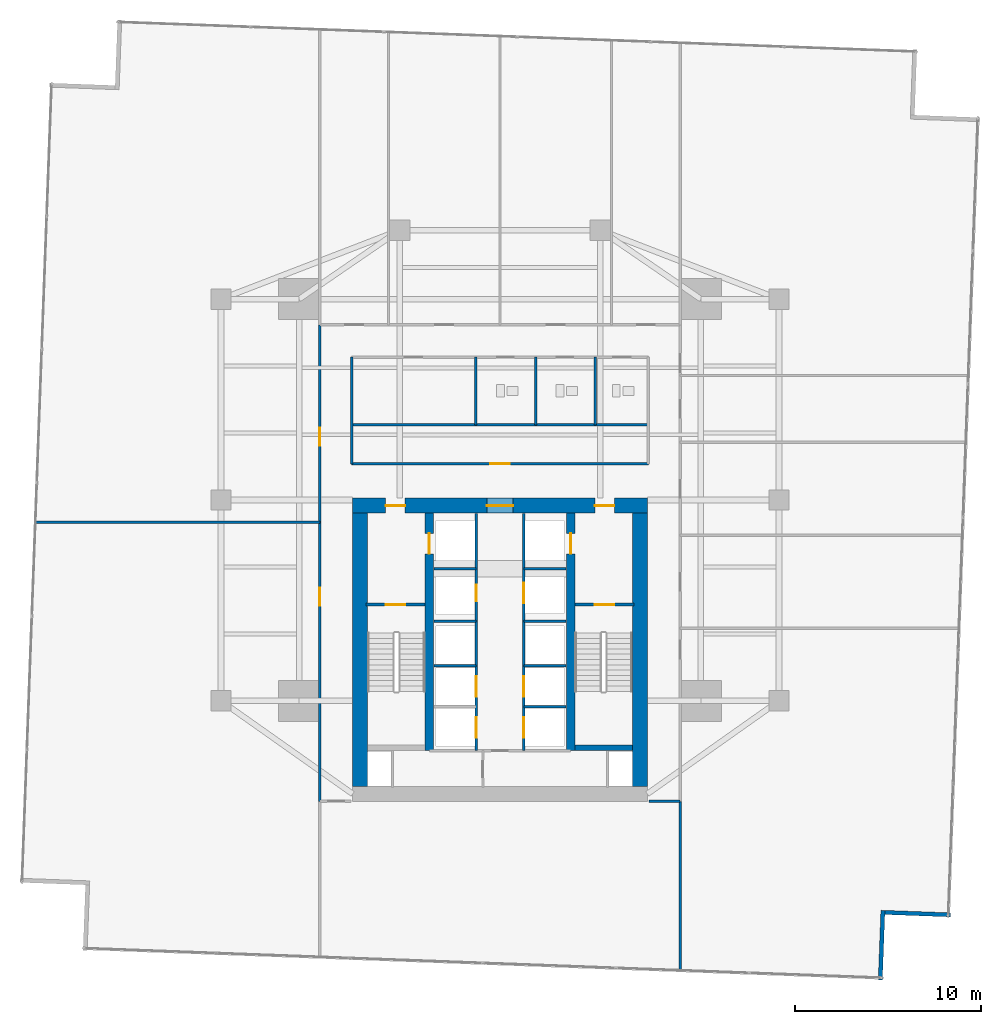
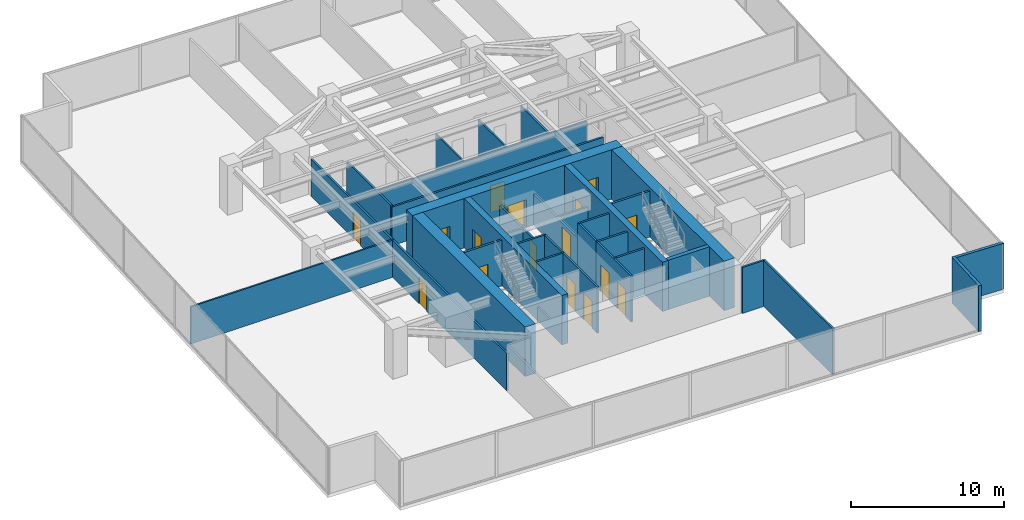
# One storey, part 27 of 30: 33 walls, 16 doors, 16 openings.
"""IFC4 building model written with IfcOpenShell, lengths in metres."""

from ifc_helpers import new_model, si_unit, direction, frame, frame_2d, origin, place, context, subcontext, project, spatial, rectangle, extrude, material, layer, layer_set, type_object, element, fill, save


model = new_model("IFC4")

# Units and contexts
model_context = context("Model", 3, precision=1e-05, world=origin(), true_north=direction((0.0, 1.0)))
body_context = subcontext(model_context, "Body", "Model", "MODEL_VIEW")
ifc_project = project(units=[si_unit("LENGTHUNIT", "METRE"), si_unit("AREAUNIT", "SQUARE_METRE"), si_unit("VOLUMEUNIT", "CUBIC_METRE"), si_unit("PLANEANGLEUNIT", "RADIAN"), si_unit("MASSUNIT", "GRAM", prefix="KILO")], contexts=[model_context])

# Site, building, storey
site_placement = place(None, origin())
site = spatial("IfcSite", under=ifc_project, at=site_placement, CompositionType="ELEMENT")
building_placement = place(site_placement, origin())
building = spatial("IfcBuilding", under=site, at=building_placement, Name="Krantzveldt Concourse Tower", CompositionType="ELEMENT")
storey_placement = place(building_placement, frame((0.0, 0.0, 36.85009765625)))
storey = spatial("IfcBuildingStorey", under=building, at=storey_placement, Name="L08", CompositionType="ELEMENT", Elevation=36.85009765625)

# Walls
ifc_material_1 = material(Name="Anodised aluminium 6063-T6", Category="aluminium")
ifc_layer_1 = layer(ifc_material_1, 0.219970703125, Name="Anodised aluminium 6063-T6", Category="aluminium")
ifc_layer_set_1 = layer_set([ifc_layer_1], Name="Anodised aluminium 6063-T6 (WL-EXT-NOTCH220)")
wall_type_1 = type_object("IfcWallType", Name="WL-EXT-NOTCH220", PredefinedType="ELEMENTEDWALL", material=ifc_layer_set_1)
wall_1_placement = place(storey_placement, frame((56.447265625, 0.899169921875, 0.0), z_axis=(0.0, 0.0, 1.0), x_axis=(0.037093640215, 0.999311794114, 0.0)))
element("IfcWall", 1, at=wall_1_placement, inside=storey, type_object=wall_type_1, Name="EW-L08-NCH05", PredefinedType="ELEMENTEDWALL", context=body_context, shape_type="SweptSolid", body=[
    extrude(rectangle(XDim=3.7451171875, YDim=0.219970703125, at=frame_2d((1.87255859375, 0.0))), origin(), (0.0, 0.0, 1.0), 3.669921875),
])
wall_2_placement = place(storey_placement, frame((56.692138671875, 4.527587890625, 0.0), z_axis=(0.0, 0.0, 1.0), x_axis=(0.99931065272, -0.037124376896, 0.0)))
element("IfcWall", 2, at=wall_2_placement, inside=storey, type_object=wall_type_1, Name="EW-L08-NCH06", PredefinedType="ELEMENTEDWALL", context=body_context, shape_type="SweptSolid", body=[
    extrude(rectangle(XDim=3.52490234375, YDim=0.219970703125, at=frame_2d((1.762451171875, 0.0))), origin(), (0.0, 0.0, 1.0), 3.669921875),
])
ifc_material_2 = material(Name="Fire-rated gypsum plasterboard on steel stud", Category="steel")
ifc_layer_2 = layer(ifc_material_2, 0.1201171875, Name="Fire-rated gypsum plasterboard on steel stud", Category="steel")
ifc_layer_set_2 = layer_set([ifc_layer_2], Name="Fire-rated gypsum plasterboard on steel stud (WL-PART-120)")
wall_type_2 = type_object("IfcWallType", Name="WL-PART-120", PredefinedType="PARTITIONING", material=ifc_layer_set_2)
wall_3_placement = place(storey_placement, frame((28.02001953125, 30.739990234375, 0.0), z_axis=(0.0, 0.0, 1.0), x_axis=(1.0, 0.0, 0.0)))
element("IfcWall", 3, at=wall_3_placement, inside=storey, type_object=wall_type_2, Name="WP-L08-ISLM", PredefinedType="PARTITIONING", context=body_context, shape_type="SweptSolid", body=[
    extrude(rectangle(XDim=15.9599609375, YDim=0.1201171875, at=frame_2d((7.97998046875, 0.0))), origin(), (0.0, 0.0, 1.0), 3.079833984375),
])
for number, where, z_axis, x_axis, name in (
    (4, (37.919921875, 30.739990234375, 0.0), (0.0, 0.0, 1.0), (0.0, 1.0, 0.0), "WP-L08-WCD1"),
    (5, (41.1201171875, 30.739990234375, 0.0), (0.0, 0.0, 1.0), (0.0, 1.0, 0.0), "WP-L08-WCD2"),
    (6, (34.699951171875, 30.739990234375, 0.0), (0.0, 0.0, 1.0), (0.0, 1.0, 0.0), "WP-L08-WCD3"),
):
    element("IfcWall", number, at=place(storey_placement, frame(where, z_axis=z_axis, x_axis=x_axis)), inside=storey, type_object=wall_type_2, Name=name, PredefinedType="PARTITIONING", context=body_context, shape_type="SweptSolid", body=[
        extrude(rectangle(XDim=3.639892578125, YDim=0.1201171875, at=frame_2d((1.81982421875, 0.0))), origin(), (0.0, 0.0, 1.0), 3.119873046875),
    ])
wall_4_placement = place(storey_placement, frame((11.0283203125, 25.5, 0.0), z_axis=(0.0, 0.0, 1.0), x_axis=(1.0, 0.0, 0.0)))
element("IfcWall", 7, at=wall_4_placement, inside=storey, type_object=wall_type_2, Name="WP-L08-WD1", PredefinedType="PARTITIONING", context=body_context, shape_type="SweptSolid", body=[
    extrude(rectangle(XDim=15.291748046875, YDim=0.1201171875, at=frame_2d((7.64599609375, 0.0))), origin(), (0.0, 0.0, 1.0), 2.969970703125),
])

# Wall, opening, door
ifc_layer_3 = layer(ifc_material_2, 0.139892578125, Name="Fire-rated gypsum plasterboard on steel stud", Category="steel")
ifc_layer_set_3 = layer_set([ifc_layer_3], Name="Fire-rated gypsum plasterboard on steel stud (WL-PART-140)")
wall_type_3 = type_object("IfcWallType", Name="WL-PART-140", PredefinedType="PARTITIONING", material=ifc_layer_set_3)
wall_5_placement = place(storey_placement, frame((28.02001953125, 28.639892578125, 0.0), z_axis=(0.0, 0.0, 1.0), x_axis=(1.0, 0.0, 0.0)))
wall_5 = element("IfcWall", 8, at=wall_5_placement, inside=storey, type_object=wall_type_3, Name="WP-L08-ISLS", PredefinedType="PARTITIONING", context=body_context, shape_type="SweptSolid", body=[
    extrude(rectangle(XDim=15.9599609375, YDim=0.139892578125, at=frame_2d((7.97998046875, 0.0))), origin(), (0.0, 0.0, 1.0), 3.079833984375),
])
opening_1_placement = place(wall_5_placement, frame((7.455078125, 0.0, 0.0)))
opening_1 = element("IfcOpeningElement", 9, at=opening_1_placement, cuts=wall_5, Name="Opening D-IN105", PredefinedType="OPENING", context=body_context, shape_type="SweptSolid", body=[
    extrude(rectangle(XDim=1.050048828125, YDim=2.14990234375, at=frame_2d((0.52490234375, 1.074951171875))), frame((0.0, 0.080078125, 0.0), z_axis=(0.0, -1.0, 0.0), x_axis=(1.0, 0.0, 0.0)), (0.0, 0.0, 1.0), 0.159912109375),
])
ifc_material_3 = material(Name="Hardwood timber", Category="wood")
door_type_1 = type_object("IfcDoorType", Name="DR-INT-1050", OperationType="SINGLE_SWING_LEFT", PredefinedType="DOOR", material=ifc_material_3)
door_1_placement = place(opening_1_placement, origin())
door_1 = element("IfcDoor", 10, at=door_1_placement, inside=storey, type_object=door_type_1, Name="DR-L08-MIDB", OperationType="SINGLE_SWING_LEFT", OverallHeight=2.14990234375, OverallWidth=1.050048828125, PredefinedType="DOOR", context=body_context, shape_type="SweptSolid", body=[
    extrude(rectangle(XDim=1.050048828125, YDim=2.14990234375, at=frame_2d((0.52490234375, 1.074951171875))), frame((0.0, 0.02490234375, 0.0), z_axis=(0.0, -1.0, 0.0), x_axis=(1.0, 0.0, 0.0)), (0.0, 0.0, 1.0), 0.050048828125),
])
fill(opening_1, door_1)

# Wall
wall_6_placement = place(storey_placement, frame((28.02001953125, 28.639892578125, 0.0), z_axis=(0.0, 0.0, 1.0), x_axis=(0.0, 1.0, 0.0)))
element("IfcWall", 11, at=wall_6_placement, inside=storey, type_object=wall_type_3, Name="WP-L08-ISLW", PredefinedType="PARTITIONING", context=body_context, shape_type="SweptSolid", body=[
    extrude(rectangle(XDim=5.739990234375, YDim=0.139892578125, at=frame_2d((2.8701171875, 0.0))), origin(), (0.0, 0.0, 1.0), 3.219970703125),
])

# Wall, openings, doors
wall_7_placement = place(storey_placement, frame((26.320068359375, 10.5, 0.0), z_axis=(0.0, 0.0, 1.0), x_axis=(0.0, 1.0, 0.0)))
wall_7 = element("IfcWall", 12, at=wall_7_placement, inside=storey, type_object=wall_type_3, Name="WP-L08-CWEST", PredefinedType="PARTITIONING", context=body_context, shape_type="SweptSolid", body=[
    extrude(rectangle(XDim=25.6201171875, YDim=0.139892578125, at=frame_2d((12.81005859375, 0.0))), origin(), (0.0, 0.0, 1.0), 2.969970703125),
])
opening_2_placement = place(wall_7_placement, frame((10.52490234375, 0.0, 0.0)))
opening_2 = element("IfcOpeningElement", 13, at=opening_2_placement, cuts=wall_7, Name="Opening D-IN095", PredefinedType="OPENING", context=body_context, shape_type="SweptSolid", body=[
    extrude(rectangle(XDim=0.949951171875, YDim=2.10009765625, at=frame_2d((0.47509765625, 1.050048828125))), frame((0.0, 0.080078125, 0.0), z_axis=(0.0, -1.0, 0.0), x_axis=(1.0, 0.0, 0.0)), (0.0, 0.0, 1.0), 0.159912109375),
])
opening_3_placement = place(wall_7_placement, frame((19.125, 0.0, 0.0)))
opening_3 = element("IfcOpeningElement", 14, at=opening_3_placement, cuts=wall_7, Name="Opening D-IN095", PredefinedType="OPENING", context=body_context, shape_type="SweptSolid", body=[
    extrude(rectangle(XDim=0.949951171875, YDim=2.10009765625, at=frame_2d((0.47509765625, 1.050048828125))), frame((0.0, 0.080078125, 0.0), z_axis=(0.0, -1.0, 0.0), x_axis=(1.0, 0.0, 0.0)), (0.0, 0.0, 1.0), 0.159912109375),
])
door_type_2 = type_object("IfcDoorType", Name="DR-INT-950", OperationType="SINGLE_SWING_LEFT", PredefinedType="DOOR", material=ifc_material_3)
door_2_placement = place(opening_2_placement, origin())
door_2 = element("IfcDoor", 15, at=door_2_placement, inside=storey, type_object=door_type_2, Name="DR-L08-WR1", OperationType="SINGLE_SWING_LEFT", OverallHeight=2.10009765625, OverallWidth=0.949951171875, PredefinedType="DOOR", context=body_context, shape_type="SweptSolid", body=[
    extrude(rectangle(XDim=0.949951171875, YDim=2.10009765625, at=frame_2d((0.47509765625, 1.050048828125))), frame((0.0, 0.02490234375, 0.0), z_axis=(0.0, -1.0, 0.0), x_axis=(1.0, 0.0, 0.0)), (0.0, 0.0, 1.0), 0.050048828125),
])
fill(opening_2, door_2)
door_3_placement = place(opening_3_placement, origin())
door_3 = element("IfcDoor", 16, at=door_3_placement, inside=storey, type_object=door_type_2, Name="DR-L08-WR2", OperationType="SINGLE_SWING_LEFT", OverallHeight=2.10009765625, OverallWidth=0.949951171875, PredefinedType="DOOR", context=body_context, shape_type="SweptSolid", body=[
    extrude(rectangle(XDim=0.949951171875, YDim=2.10009765625, at=frame_2d((0.47509765625, 1.050048828125))), frame((0.0, 0.02490234375, 0.0), z_axis=(0.0, -1.0, 0.0), x_axis=(1.0, 0.0, 0.0)), (0.0, 0.0, 1.0), 0.050048828125),
])
fill(opening_3, door_3)

# Walls
wall_8_placement = place(storey_placement, frame((44.0, 10.5, 0.0), z_axis=(0.0, 0.0, 1.0), x_axis=(1.0, 0.0, 0.0)))
element("IfcWall", 17, at=wall_8_placement, inside=storey, type_object=wall_type_3, Name="WP-L08-CEBOT", PredefinedType="PARTITIONING", context=body_context, shape_type="SweptSolid", body=[
    extrude(rectangle(XDim=1.679931640625, YDim=0.139892578125, at=frame_2d((0.83984375, 0.0))), origin(), (0.0, 0.0, 1.0), 3.669921875),
])
wall_9_placement = place(storey_placement, frame((45.679931640625, 1.413818359375, 0.0), z_axis=(0.0, 0.0, 1.0), x_axis=(0.0, 1.0, 0.0)))
element("IfcWall", 18, at=wall_9_placement, inside=storey, type_object=wall_type_3, Name="WP-L08-SER", PredefinedType="PARTITIONING", context=body_context, shape_type="SweptSolid", body=[
    extrude(rectangle(XDim=9.086181640625, YDim=0.139892578125, at=frame_2d((4.54296875, 0.0))), origin(), (0.0, 0.0, 1.0), 3.669921875),
])

# Wall, opening, door
ifc_layer_4 = layer(ifc_material_2, 0.139892578125, Name="Fire-rated gypsum plasterboard on steel stud", Category="steel")
ifc_layer_set_4 = layer_set([ifc_layer_4], Name="Fire-rated gypsum plasterboard on steel stud (WL-PART-FR140)")
wall_type_4 = type_object("IfcWallType", Name="WL-PART-FR140", PredefinedType="PARTITIONING", material=ifc_layer_set_4)
wall_10_placement = place(storey_placement, frame((34.719970703125, 20.199951171875, 0.0), z_axis=(0.0, 0.0, 1.0), x_axis=(0.0, 1.0, 0.0)))
wall_10 = element("IfcWall", 19, at=wall_10_placement, inside=storey, type_object=wall_type_4, Name="WP-L08-SHNW", PredefinedType="PARTITIONING", context=body_context, shape_type="SweptSolid", body=[
    extrude(rectangle(XDim=5.780029296875, YDim=0.139892578125, at=frame_2d((2.89013671875, 0.0))), origin(), (0.0, 0.0, 1.0), 2.469970703125),
])
opening_4_placement = place(wall_10_placement, frame((1.050048828125, 0.0, 0.0)))
opening_4 = element("IfcOpeningElement", 20, at=opening_4_placement, cuts=wall_10, Name="Opening D-FD090", PredefinedType="OPENING", context=body_context, shape_type="SweptSolid", body=[
    extrude(rectangle(XDim=0.89990234375, YDim=2.10009765625, at=frame_2d((0.449951171875, 1.050048828125))), frame((0.0, 0.080078125, 0.0), z_axis=(0.0, -1.0, 0.0), x_axis=(1.0, 0.0, 0.0)), (0.0, 0.0, 1.0), 0.159912109375),
])
door_type_3 = type_object("IfcDoorType", Name="DR-FD60-900", OperationType="SINGLE_SWING_LEFT", PredefinedType="DOOR", material=ifc_material_3)
door_4_placement = place(opening_4_placement, origin())
door_4 = element("IfcDoor", 21, at=door_4_placement, inside=storey, type_object=door_type_3, Name="Electrical Riser Access Door L08", OperationType="SINGLE_SWING_LEFT", OverallHeight=2.10009765625, OverallWidth=0.89990234375, PredefinedType="DOOR", context=body_context, shape_type="SweptSolid", body=[
    extrude(rectangle(XDim=0.89990234375, YDim=2.10009765625, at=frame_2d((0.449951171875, 1.050048828125))), frame((0.0, 0.02490234375, 0.0), z_axis=(0.0, -1.0, 0.0), x_axis=(1.0, 0.0, 0.0)), (0.0, 0.0, 1.0), 0.050048828125),
])
fill(opening_4, door_4)

wall_11_placement = place(storey_placement, frame((37.280029296875, 20.199951171875, 0.0), z_axis=(0.0, 0.0, 1.0), x_axis=(0.0, 1.0, 0.0)))
wall_11 = element("IfcWall", 22, at=wall_11_placement, inside=storey, type_object=wall_type_4, Name="WP-L08-SHNE", PredefinedType="PARTITIONING", context=body_context, shape_type="SweptSolid", body=[
    extrude(rectangle(XDim=5.780029296875, YDim=0.139892578125, at=frame_2d((2.89013671875, 0.0))), origin(), (0.0, 0.0, 1.0), 2.469970703125),
])
opening_5_placement = place(wall_11_placement, frame((0.949951171875, 0.0, 0.0)))
opening_5 = element("IfcOpeningElement", 23, at=opening_5_placement, cuts=wall_11, Name="Opening LD", PredefinedType="OPENING", context=body_context, shape_type="SweptSolid", body=[
    extrude(rectangle(XDim=1.10009765625, YDim=2.14990234375, at=frame_2d((0.550048828125, 1.074951171875))), frame((0.0, 0.080078125, 0.0), z_axis=(0.0, -1.0, 0.0), x_axis=(1.0, 0.0, 0.0)), (0.0, 0.0, 1.0), 0.159912109375),
])
ifc_material_4 = material(Name="Stainless steel 316L", Category="steel")
door_type_4 = type_object("IfcDoorType", Name="DR-SLIDE-LD1100", OperationType="DOUBLE_DOOR_SLIDING", PredefinedType="DOOR", material=ifc_material_4)
door_5_placement = place(opening_5_placement, origin())
door_5 = element("IfcDoor", 24, at=door_5_placement, inside=storey, type_object=door_type_4, Name="LD-L08-GL1", OperationType="DOUBLE_DOOR_SLIDING", OverallHeight=2.14990234375, OverallWidth=1.10009765625, PredefinedType="DOOR", context=body_context, shape_type="SweptSolid", body=[
    extrude(rectangle(XDim=1.10009765625, YDim=2.14990234375, at=frame_2d((0.550048828125, 1.074951171875))), frame((0.0, 0.02490234375, 0.0), z_axis=(0.0, -1.0, 0.0), x_axis=(1.0, 0.0, 0.0)), (0.0, 0.0, 1.0), 0.050048828125),
])
fill(opening_5, door_5)

# Walls
for number, where, z_axis, x_axis, name in (
    (25, (32.449951171875, 23.0, 0.0), (0.0, 0.0, 1.0), (1.0, 0.0, 0.0), "WP-L08-RISH"),
    (26, (37.280029296875, 23.0, 0.0), (0.0, 0.0, 1.0), (1.0, 0.0, 0.0), "WP-L08-GLH"),
):
    element("IfcWall", number, at=place(storey_placement, frame(where, z_axis=z_axis, x_axis=x_axis)), inside=storey, type_object=wall_type_4, Name=name, PredefinedType="PARTITIONING", context=body_context, shape_type="SweptSolid", body=[
        extrude(rectangle(XDim=2.27001953125, YDim=0.139892578125, at=frame_2d((1.135009765625, 0.0))), origin(), (0.0, 0.0, 1.0), 2.469970703125),
    ])
for number, where, z_axis, x_axis, name in (
    (27, (34.719970703125, 17.780029296875, 0.0), (0.0, 0.0, 1.0), (0.0, 1.0, 0.0), "WP-L08-SHNW2"),
    (28, (37.280029296875, 17.780029296875, 0.0), (0.0, 0.0, 1.0), (0.0, 1.0, 0.0), "WP-L08-SHNE2"),
):
    element("IfcWall", number, at=place(storey_placement, frame(where, z_axis=z_axis, x_axis=x_axis)), inside=storey, type_object=wall_type_4, Name=name, PredefinedType="PARTITIONING", context=body_context, shape_type="SweptSolid", body=[
        extrude(rectangle(XDim=2.419921875, YDim=0.139892578125, at=frame_2d((1.2099609375, 0.0))), origin(), (0.0, 0.0, 1.0), 3.669921875),
    ])
for number, where, z_axis, x_axis, name in (
    (29, (32.449951171875, 17.780029296875, 0.0), (0.0, 0.0, 1.0), (1.0, 0.0, 0.0), "WP-L08-DIVW2"),
    (30, (32.449951171875, 20.179931640625, 0.0), (0.0, 0.0, 1.0), (1.0, 0.0, 0.0), "WP-L08-DIVW3"),
    (31, (37.280029296875, 17.780029296875, 0.0), (0.0, 0.0, 1.0), (1.0, 0.0, 0.0), "WP-L08-DIVE2"),
    (32, (37.280029296875, 20.179931640625, 0.0), (0.0, 0.0, 1.0), (1.0, 0.0, 0.0), "WP-L08-DIVE3"),
):
    element("IfcWall", number, at=place(storey_placement, frame(where, z_axis=z_axis, x_axis=x_axis)), inside=storey, type_object=wall_type_4, Name=name, PredefinedType="PARTITIONING", context=body_context, shape_type="SweptSolid", body=[
        extrude(rectangle(XDim=2.27001953125, YDim=0.139892578125, at=frame_2d((1.135009765625, 0.0))), origin(), (0.0, 0.0, 1.0), 3.669921875),
    ])

# Wall, openings, doors
wall_12_placement = place(storey_placement, frame((34.719970703125, 13.219970703125, 0.0), z_axis=(0.0, 0.0, 1.0), x_axis=(0.0, 1.0, 0.0)))
wall_12 = element("IfcWall", 33, at=wall_12_placement, inside=storey, type_object=wall_type_4, Name="WP-L08-SHSW", PredefinedType="PARTITIONING", context=body_context, shape_type="SweptSolid", body=[
    extrude(rectangle(XDim=4.56005859375, YDim=0.139892578125, at=frame_2d((2.280029296875, 0.0))), origin(), (0.0, 0.0, 1.0), 3.669921875),
])
opening_6_placement = place(wall_12_placement, frame((0.7099609375, 0.0, 0.0)))
opening_6 = element("IfcOpeningElement", 34, at=opening_6_placement, cuts=wall_12, Name="Opening LD", PredefinedType="OPENING", context=body_context, shape_type="SweptSolid", body=[
    extrude(rectangle(XDim=1.10009765625, YDim=2.14990234375, at=frame_2d((0.550048828125, 1.074951171875))), frame((0.0, 0.080078125, 0.0), z_axis=(0.0, -1.0, 0.0), x_axis=(1.0, 0.0, 0.0)), (0.0, 0.0, 1.0), 0.159912109375),
])
opening_7_placement = place(wall_12_placement, frame((2.909912109375, 0.0, 0.0)))
opening_7 = element("IfcOpeningElement", 35, at=opening_7_placement, cuts=wall_12, Name="Opening LD", PredefinedType="OPENING", context=body_context, shape_type="SweptSolid", body=[
    extrude(rectangle(XDim=1.10009765625, YDim=2.14990234375, at=frame_2d((0.550048828125, 1.074951171875))), frame((0.0, 0.080078125, 0.0), z_axis=(0.0, -1.0, 0.0), x_axis=(1.0, 0.0, 0.0)), (0.0, 0.0, 1.0), 0.159912109375),
])
door_6_placement = place(opening_6_placement, origin())
door_6 = element("IfcDoor", 36, at=door_6_placement, inside=storey, type_object=door_type_4, Name="LD-L08-PL1", OperationType="DOUBLE_DOOR_SLIDING", OverallHeight=2.14990234375, OverallWidth=1.10009765625, PredefinedType="DOOR", context=body_context, shape_type="SweptSolid", body=[
    extrude(rectangle(XDim=1.10009765625, YDim=2.14990234375, at=frame_2d((0.550048828125, 1.074951171875))), frame((0.0, 0.02490234375, 0.0), z_axis=(0.0, -1.0, 0.0), x_axis=(1.0, 0.0, 0.0)), (0.0, 0.0, 1.0), 0.050048828125),
])
fill(opening_6, door_6)
door_7_placement = place(opening_7_placement, origin())
door_7 = element("IfcDoor", 37, at=door_7_placement, inside=storey, type_object=door_type_4, Name="LD-L08-PL2", OperationType="DOUBLE_DOOR_SLIDING", OverallHeight=2.14990234375, OverallWidth=1.10009765625, PredefinedType="DOOR", context=body_context, shape_type="SweptSolid", body=[
    extrude(rectangle(XDim=1.10009765625, YDim=2.14990234375, at=frame_2d((0.550048828125, 1.074951171875))), frame((0.0, 0.02490234375, 0.0), z_axis=(0.0, -1.0, 0.0), x_axis=(1.0, 0.0, 0.0)), (0.0, 0.0, 1.0), 0.050048828125),
])
fill(opening_7, door_7)

wall_13_placement = place(storey_placement, frame((37.280029296875, 13.219970703125, 0.0), z_axis=(0.0, 0.0, 1.0), x_axis=(0.0, 1.0, 0.0)))
wall_13 = element("IfcWall", 38, at=wall_13_placement, inside=storey, type_object=wall_type_4, Name="WP-L08-SHSE", PredefinedType="PARTITIONING", context=body_context, shape_type="SweptSolid", body=[
    extrude(rectangle(XDim=4.56005859375, YDim=0.139892578125, at=frame_2d((2.280029296875, 0.0))), origin(), (0.0, 0.0, 1.0), 3.669921875),
])
opening_8_placement = place(wall_13_placement, frame((0.7099609375, 0.0, 0.0)))
opening_8 = element("IfcOpeningElement", 39, at=opening_8_placement, cuts=wall_13, Name="Opening LD", PredefinedType="OPENING", context=body_context, shape_type="SweptSolid", body=[
    extrude(rectangle(XDim=1.10009765625, YDim=2.14990234375, at=frame_2d((0.550048828125, 1.074951171875))), frame((0.0, 0.080078125, 0.0), z_axis=(0.0, -1.0, 0.0), x_axis=(1.0, 0.0, 0.0)), (0.0, 0.0, 1.0), 0.159912109375),
])
opening_9_placement = place(wall_13_placement, frame((2.909912109375, 0.0, 0.0)))
opening_9 = element("IfcOpeningElement", 40, at=opening_9_placement, cuts=wall_13, Name="Opening LD", PredefinedType="OPENING", context=body_context, shape_type="SweptSolid", body=[
    extrude(rectangle(XDim=1.10009765625, YDim=2.14990234375, at=frame_2d((0.550048828125, 1.074951171875))), frame((0.0, 0.080078125, 0.0), z_axis=(0.0, -1.0, 0.0), x_axis=(1.0, 0.0, 0.0)), (0.0, 0.0, 1.0), 0.159912109375),
])
door_8_placement = place(opening_8_placement, origin())
door_8 = element("IfcDoor", 41, at=door_8_placement, inside=storey, type_object=door_type_4, Name="LD-L08-PM1", OperationType="DOUBLE_DOOR_SLIDING", OverallHeight=2.14990234375, OverallWidth=1.10009765625, PredefinedType="DOOR", context=body_context, shape_type="SweptSolid", body=[
    extrude(rectangle(XDim=1.10009765625, YDim=2.14990234375, at=frame_2d((0.550048828125, 1.074951171875))), frame((0.0, 0.02490234375, 0.0), z_axis=(0.0, -1.0, 0.0), x_axis=(1.0, 0.0, 0.0)), (0.0, 0.0, 1.0), 0.050048828125),
])
fill(opening_8, door_8)
door_9_placement = place(opening_9_placement, origin())
door_9 = element("IfcDoor", 42, at=door_9_placement, inside=storey, type_object=door_type_4, Name="LD-L08-PM2", OperationType="DOUBLE_DOOR_SLIDING", OverallHeight=2.14990234375, OverallWidth=1.10009765625, PredefinedType="DOOR", context=body_context, shape_type="SweptSolid", body=[
    extrude(rectangle(XDim=1.10009765625, YDim=2.14990234375, at=frame_2d((0.550048828125, 1.074951171875))), frame((0.0, 0.02490234375, 0.0), z_axis=(0.0, -1.0, 0.0), x_axis=(1.0, 0.0, 0.0)), (0.0, 0.0, 1.0), 0.050048828125),
])
fill(opening_9, door_9)

# Wall
wall_14_placement = place(storey_placement, frame((37.280029296875, 15.580078125, 0.0), z_axis=(0.0, 0.0, 1.0), x_axis=(1.0, 0.0, 0.0)))
element("IfcWall", 43, at=wall_14_placement, inside=storey, type_object=wall_type_4, Name="WP-L08-DIVE1", PredefinedType="PARTITIONING", context=body_context, shape_type="SweptSolid", body=[
    extrude(rectangle(XDim=2.27001953125, YDim=0.139892578125, at=frame_2d((1.135009765625, 0.0))), origin(), (0.0, 0.0, 1.0), 3.669921875),
])

# Wall, opening, door
ifc_layer_5 = layer(ifc_material_2, 0.159912109375, Name="Fire-rated gypsum plasterboard on steel stud", Category="steel")
ifc_layer_set_5 = layer_set([ifc_layer_5], Name="Fire-rated gypsum plasterboard on steel stud (WL-PART-FR160)")
wall_type_5 = type_object("IfcWallType", Name="WL-PART-FR160", PredefinedType="PARTITIONING", material=ifc_layer_set_5)
wall_15_placement = place(storey_placement, frame((28.800048828125, 21.080078125, 0.0), z_axis=(0.0, 0.0, 1.0), x_axis=(1.0, 0.0, 0.0)))
wall_15 = element("IfcWall", 44, at=wall_15_placement, inside=storey, type_object=wall_type_5, Name="WP-L08-ST1", PredefinedType="PARTITIONING", context=body_context, shape_type="SweptSolid", body=[
    extrude(rectangle(XDim=3.159912109375, YDim=0.159912109375, at=frame_2d((1.580078125, 0.0))), origin(), (0.0, 0.0, 1.0), 3.669921875),
])
opening_10_placement = place(wall_15_placement, frame((1.054931640625, 0.0, 0.0)))
opening_10 = element("IfcOpeningElement", 45, at=opening_10_placement, cuts=wall_15, Name="Opening D-FD105", PredefinedType="OPENING", context=body_context, shape_type="SweptSolid", body=[
    extrude(rectangle(XDim=1.050048828125, YDim=2.10009765625, at=frame_2d((0.52490234375, 1.050048828125))), frame((0.0, 0.08984375, 0.0), z_axis=(0.0, -1.0, 0.0), x_axis=(1.0, 0.0, 0.0)), (0.0, 0.0, 1.0), 0.179931640625),
])
ifc_material_5 = material(Name="Galvanised steel", Category="steel")
door_type_5 = type_object("IfcDoorType", Name="DR-FD120-1050", OperationType="SINGLE_SWING_LEFT", PredefinedType="DOOR", material=ifc_material_5)
door_10_placement = place(opening_10_placement, origin())
door_10 = element("IfcDoor", 46, at=door_10_placement, inside=storey, type_object=door_type_5, Name="DR-L08-ST1", OperationType="SINGLE_SWING_RIGHT", OverallHeight=2.10009765625, OverallWidth=1.050048828125, PredefinedType="DOOR", context=body_context, shape_type="SweptSolid", body=[
    extrude(rectangle(XDim=1.050048828125, YDim=2.10009765625, at=frame_2d((0.52490234375, 1.050048828125))), frame((0.0, 0.02490234375, 0.0), z_axis=(0.0, -1.0, 0.0), x_axis=(1.0, 0.0, 0.0)), (0.0, 0.0, 1.0), 0.050048828125),
])
fill(opening_10, door_10)

wall_16_placement = place(storey_placement, frame((40.0400390625, 21.080078125, 0.0), z_axis=(0.0, 0.0, 1.0), x_axis=(1.0, 0.0, 0.0)))
wall_16 = element("IfcWall", 47, at=wall_16_placement, inside=storey, type_object=wall_type_5, Name="WP-L08-ST2", PredefinedType="PARTITIONING", context=body_context, shape_type="SweptSolid", body=[
    extrude(rectangle(XDim=3.159912109375, YDim=0.159912109375, at=frame_2d((1.580078125, 0.0))), origin(), (0.0, 0.0, 1.0), 3.669921875),
])
opening_11_placement = place(wall_16_placement, frame((1.054931640625, 0.0, 0.0)))
opening_11 = element("IfcOpeningElement", 48, at=opening_11_placement, cuts=wall_16, Name="Opening D-FD105", PredefinedType="OPENING", context=body_context, shape_type="SweptSolid", body=[
    extrude(rectangle(XDim=1.050048828125, YDim=2.10009765625, at=frame_2d((0.52490234375, 1.050048828125))), frame((0.0, 0.08984375, 0.0), z_axis=(0.0, -1.0, 0.0), x_axis=(1.0, 0.0, 0.0)), (0.0, 0.0, 1.0), 0.179931640625),
])
door_11_placement = place(opening_11_placement, origin())
door_11 = element("IfcDoor", 49, at=door_11_placement, inside=storey, type_object=door_type_5, Name="DR-L08-ST2", OperationType="SINGLE_SWING_LEFT", OverallHeight=2.10009765625, OverallWidth=1.050048828125, PredefinedType="DOOR", context=body_context, shape_type="SweptSolid", body=[
    extrude(rectangle(XDim=1.050048828125, YDim=2.10009765625, at=frame_2d((0.52490234375, 1.050048828125))), frame((0.0, 0.02490234375, 0.0), z_axis=(0.0, -1.0, 0.0), x_axis=(1.0, 0.0, 0.0)), (0.0, 0.0, 1.0), 0.050048828125),
])
fill(opening_11, door_11)

# Wall
ifc_material_6 = material(Name="Concrete C50/60", Category="concrete")
ifc_layer_6 = layer(ifc_material_6, 0.300048828125, Name="Concrete C50/60", Category="concrete")
ifc_layer_set_6 = layer_set([ifc_layer_6], Name="Concrete C50/60 (WL-SHEAR-300)")
wall_type_6 = type_object("IfcWallType", Name="WL-SHEAR-300", PredefinedType="SHEAR", material=ifc_layer_set_6)
wall_17_placement = place(storey_placement, frame((40.02001953125, 13.3701171875, 0.0), z_axis=(0.0, 0.0, 1.0), x_axis=(1.0, 0.0, 0.0)))
element("IfcWall", 50, at=wall_17_placement, inside=storey, type_object=wall_type_6, Name="CW-L08-ST2S", PredefinedType="SHEAR", context=body_context, shape_type="SweptSolid", body=[
    extrude(rectangle(XDim=3.10009765625, YDim=0.300048828125, at=frame_2d((1.550048828125, 0.0))), origin(), (0.0, 0.0, 1.0), 3.949951171875),
])

# Wall, opening, door
ifc_layer_7 = layer(ifc_material_6, 0.449951171875, Name="Concrete C50/60", Category="concrete")
ifc_layer_set_7 = layer_set([ifc_layer_7], Name="Concrete C50/60 (WL-SHEAR-450)")
wall_type_7 = type_object("IfcWallType", Name="WL-SHEAR-450", PredefinedType="SHEAR", material=ifc_layer_set_7)
wall_18_placement = place(storey_placement, frame((32.205078125, 13.219970703125, 0.0), z_axis=(0.0, 0.0, 1.0), x_axis=(0.0, 1.0, 0.0)))
wall_18 = element("IfcWall", 51, at=wall_18_placement, inside=storey, type_object=wall_type_7, Name="CW-L08-IW", PredefinedType="SHEAR", context=body_context, shape_type="SweptSolid", body=[
    extrude(rectangle(XDim=12.780029296875, YDim=0.449951171875, at=frame_2d((6.39013671875, 0.0))), origin(), (0.0, 0.0, 1.0), 3.949951171875),
])
opening_12_placement = place(wall_18_placement, frame((10.580078125, 0.0, 0.0)))
opening_12 = element("IfcOpeningElement", 52, at=opening_12_placement, cuts=wall_18, Name="Opening LD", PredefinedType="OPENING", context=body_context, shape_type="SweptSolid", body=[
    extrude(rectangle(XDim=1.10009765625, YDim=2.14990234375, at=frame_2d((0.550048828125, 1.074951171875))), frame((0.0, 0.23486328125, 0.0), z_axis=(0.0, -1.0, 0.0), x_axis=(1.0, 0.0, 0.0)), (0.0, 0.0, 1.0), 0.469970703125),
])
door_12_placement = place(opening_12_placement, origin())
door_12 = element("IfcDoor", 53, at=door_12_placement, inside=storey, type_object=door_type_4, Name="LD-L08-FL1", OperationType="DOUBLE_DOOR_SLIDING", OverallHeight=2.14990234375, OverallWidth=1.10009765625, PredefinedType="DOOR", context=body_context, shape_type="SweptSolid", body=[
    extrude(rectangle(XDim=1.10009765625, YDim=2.14990234375, at=frame_2d((0.550048828125, 1.074951171875))), frame((0.0, 0.02490234375, 0.0), z_axis=(0.0, -1.0, 0.0), x_axis=(1.0, 0.0, 0.0)), (0.0, 0.0, 1.0), 0.050048828125),
])
fill(opening_12, door_12)

wall_19_placement = place(storey_placement, frame((39.794921875, 13.219970703125, 0.0), z_axis=(0.0, 0.0, 1.0), x_axis=(0.0, 1.0, 0.0)))
wall_19 = element("IfcWall", 54, at=wall_19_placement, inside=storey, type_object=wall_type_7, Name="CW-L08-IE", PredefinedType="SHEAR", context=body_context, shape_type="SweptSolid", body=[
    extrude(rectangle(XDim=12.780029296875, YDim=0.449951171875, at=frame_2d((6.39013671875, 0.0))), origin(), (0.0, 0.0, 1.0), 3.949951171875),
])
opening_13_placement = place(wall_19_placement, frame((10.580078125, 0.0, 0.0)))
opening_13 = element("IfcOpeningElement", 55, at=opening_13_placement, cuts=wall_19, Name="Opening LD", PredefinedType="OPENING", context=body_context, shape_type="SweptSolid", body=[
    extrude(rectangle(XDim=1.10009765625, YDim=2.14990234375, at=frame_2d((0.550048828125, 1.074951171875))), frame((0.0, 0.23486328125, 0.0), z_axis=(0.0, -1.0, 0.0), x_axis=(1.0, 0.0, 0.0)), (0.0, 0.0, 1.0), 0.469970703125),
])
door_13_placement = place(opening_13_placement, origin())
door_13 = element("IfcDoor", 56, at=door_13_placement, inside=storey, type_object=door_type_4, Name="LD-L08-FL2", OperationType="DOUBLE_DOOR_SLIDING", OverallHeight=2.14990234375, OverallWidth=1.10009765625, PredefinedType="DOOR", context=body_context, shape_type="SweptSolid", body=[
    extrude(rectangle(XDim=1.10009765625, YDim=2.14990234375, at=frame_2d((0.550048828125, 1.074951171875))), frame((0.0, 0.02490234375, 0.0), z_axis=(0.0, -1.0, 0.0), x_axis=(1.0, 0.0, 0.0)), (0.0, 0.0, 1.0), 0.050048828125),
])
fill(opening_13, door_13)

# Wall, openings, doors
ifc_material_7 = material(Name="Concrete C60/75", Category="concrete")
ifc_layer_8 = layer(ifc_material_7, 0.800048828125, Name="Concrete C60/75", Category="concrete")
ifc_layer_set_8 = layer_set([ifc_layer_8], Name="Concrete C60/75 (WL-SHEAR-800)")
wall_type_8 = type_object("IfcWallType", Name="WL-SHEAR-800", PredefinedType="SHEAR", material=ifc_layer_set_8)
wall_20_placement = place(storey_placement, frame((28.080078125, 26.39990234375, 0.0), z_axis=(0.0, 0.0, 1.0), x_axis=(1.0, 0.0, 0.0)))
wall_20 = element("IfcWall", 57, at=wall_20_placement, inside=storey, type_object=wall_type_8, Name="CW-L08-N", PredefinedType="SHEAR", context=body_context, shape_type="SweptSolid", body=[
    extrude(rectangle(XDim=15.83984375, YDim=0.800048828125, at=frame_2d((7.919921875, 0.0))), origin(), (0.0, 0.0, 1.0), 3.949951171875),
])
opening_14_placement = place(wall_20_placement, frame((7.219970703125, 0.0, 0.0)))
opening_14 = element("IfcOpeningElement", 58, at=opening_14_placement, cuts=wall_20, Name="Opening D-DB140", PredefinedType="OPENING", context=body_context, shape_type="SweptSolid", body=[
    extrude(rectangle(XDim=1.39990234375, YDim=2.199951171875, at=frame_2d((0.699951171875, 1.10009765625))), frame((0.0, 0.41015625, 0.0), z_axis=(0.0, -1.0, 0.0), x_axis=(1.0, 0.0, 0.0)), (0.0, 0.0, 1.0), 0.820068359375),
])
opening_15_placement = place(wall_20_placement, frame((1.77490234375, 0.0, 0.0)))
opening_15 = element("IfcOpeningElement", 59, at=opening_15_placement, cuts=wall_20, Name="Opening D-FD105", PredefinedType="OPENING", context=body_context, shape_type="SweptSolid", body=[
    extrude(rectangle(XDim=1.050048828125, YDim=2.10009765625, at=frame_2d((0.52490234375, 1.050048828125))), frame((0.0, 0.41015625, 0.0), z_axis=(0.0, -1.0, 0.0), x_axis=(1.0, 0.0, 0.0)), (0.0, 0.0, 1.0), 0.820068359375),
])
opening_16_placement = place(wall_20_placement, frame((13.014892578125, 0.0, 0.0)))
opening_16 = element("IfcOpeningElement", 60, at=opening_16_placement, cuts=wall_20, Name="Opening D-FD105", PredefinedType="OPENING", context=body_context, shape_type="SweptSolid", body=[
    extrude(rectangle(XDim=1.050048828125, YDim=2.10009765625, at=frame_2d((0.52490234375, 1.050048828125))), frame((0.0, 0.41015625, 0.0), z_axis=(0.0, -1.0, 0.0), x_axis=(1.0, 0.0, 0.0)), (0.0, 0.0, 1.0), 0.820068359375),
])
door_type_6 = type_object("IfcDoorType", Name="DR-DBL-1400", OperationType="DOUBLE_DOOR_SINGLE_SWING", PredefinedType="DOOR", material=ifc_material_1)
door_14_placement = place(opening_14_placement, origin())
door_14 = element("IfcDoor", 61, at=door_14_placement, inside=storey, type_object=door_type_6, Name="DR-L08-LLB", OperationType="DOUBLE_DOOR_SINGLE_SWING", OverallHeight=2.199951171875, OverallWidth=1.39990234375, PredefinedType="DOOR", context=body_context, shape_type="SweptSolid", body=[
    extrude(rectangle(XDim=1.39990234375, YDim=2.199951171875, at=frame_2d((0.699951171875, 1.10009765625))), frame((0.0, 0.02490234375, 0.0), z_axis=(0.0, -1.0, 0.0), x_axis=(1.0, 0.0, 0.0)), (0.0, 0.0, 1.0), 0.050048828125),
])
fill(opening_14, door_14)
door_15_placement = place(opening_15_placement, origin())
door_15 = element("IfcDoor", 62, at=door_15_placement, inside=storey, type_object=door_type_5, Name="DR-L08-FFL1", OperationType="SINGLE_SWING_LEFT", OverallHeight=2.10009765625, OverallWidth=1.050048828125, PredefinedType="DOOR", context=body_context, shape_type="SweptSolid", body=[
    extrude(rectangle(XDim=1.050048828125, YDim=2.10009765625, at=frame_2d((0.52490234375, 1.050048828125))), frame((0.0, 0.02490234375, 0.0), z_axis=(0.0, -1.0, 0.0), x_axis=(1.0, 0.0, 0.0)), (0.0, 0.0, 1.0), 0.050048828125),
])
fill(opening_15, door_15)
door_16_placement = place(opening_16_placement, origin())
door_16 = element("IfcDoor", 63, at=door_16_placement, inside=storey, type_object=door_type_5, Name="DR-L08-FFL2", OperationType="SINGLE_SWING_RIGHT", OverallHeight=2.10009765625, OverallWidth=1.050048828125, PredefinedType="DOOR", context=body_context, shape_type="SweptSolid", body=[
    extrude(rectangle(XDim=1.050048828125, YDim=2.10009765625, at=frame_2d((0.52490234375, 1.050048828125))), frame((0.0, 0.02490234375, 0.0), z_axis=(0.0, -1.0, 0.0), x_axis=(1.0, 0.0, 0.0)), (0.0, 0.0, 1.0), 0.050048828125),
])
fill(opening_16, door_16)

# Walls
for number, where, z_axis, x_axis, name in (
    (64, (28.47998046875, 11.300048828125, 0.0), (0.0, 0.0, 1.0), (0.0, 1.0, 0.0), "CW-L08-W"),
    (65, (43.52001953125, 11.300048828125, 0.0), (0.0, 0.0, 1.0), (0.0, 1.0, 0.0), "CW-L08-E"),
):
    element("IfcWall", number, at=place(storey_placement, frame(where, z_axis=z_axis, x_axis=x_axis)), inside=storey, type_object=wall_type_8, Name=name, PredefinedType="SHEAR", context=body_context, shape_type="SweptSolid", body=[
        extrude(rectangle(XDim=14.699951171875, YDim=0.800048828125, at=frame_2d((7.35009765625, 0.0))), origin(), (0.0, 0.0, 1.0), 3.949951171875),
    ])

save(model, "model.ifc")
